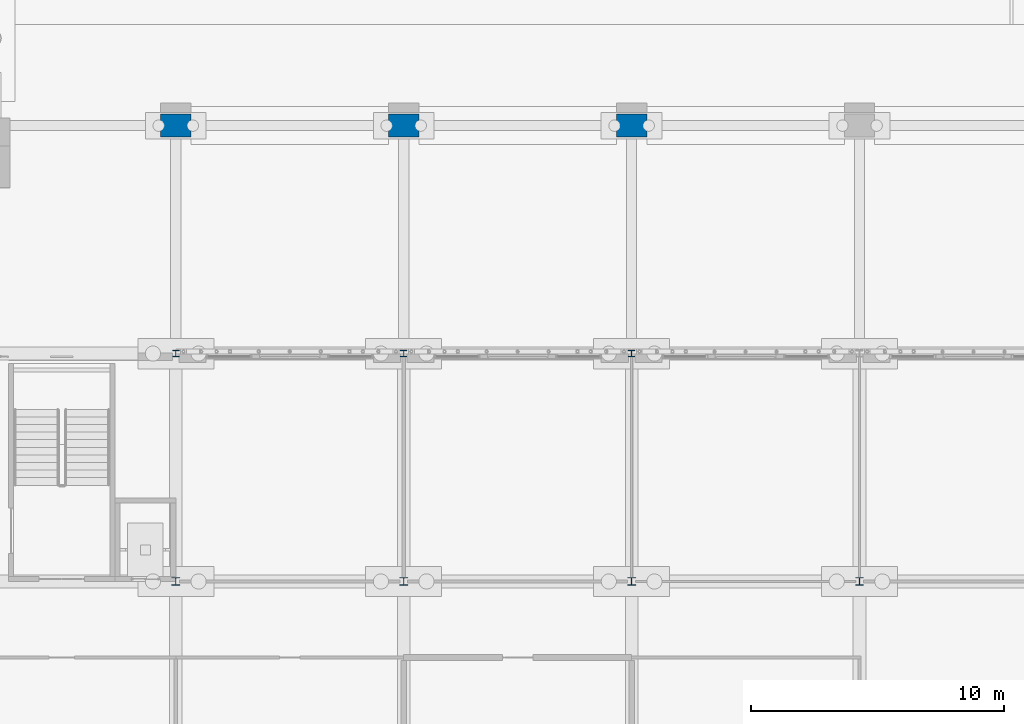
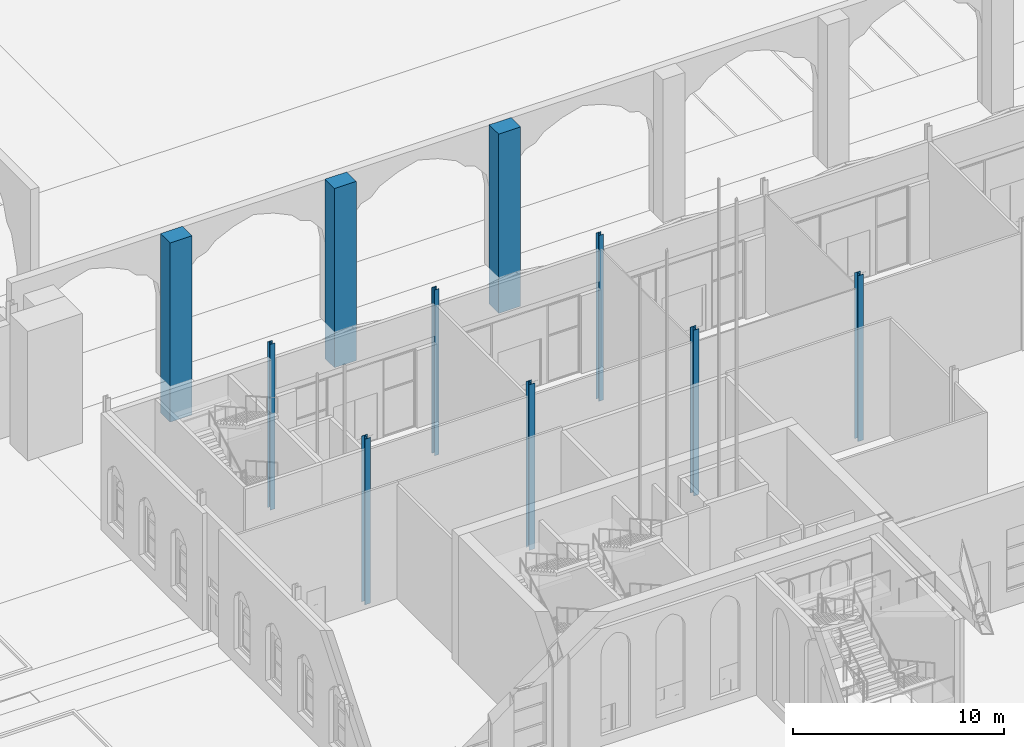
# One storey, part 18 of 250: 10 columns.
"""IFC4 building model written with IfcOpenShell, lengths in metres."""

from ifc_helpers import new_model, si_unit, direction, frame, origin, origin_2d, place, context, subcontext, project, spatial, rectangle, i_section, extrude, material, material_profile, profile_set, type_object, element, save


model = new_model("IFC4")

# Units and contexts
model_context = context("Model", 3, precision=1e-05, world=origin(), true_north=direction((0.0, 1.0)))
body_context = subcontext(model_context, "Body", "Model", "MODEL_VIEW")
ifc_project = project(units=[si_unit("LENGTHUNIT", "METRE"), si_unit("AREAUNIT", "SQUARE_METRE"), si_unit("VOLUMEUNIT", "CUBIC_METRE"), si_unit("PLANEANGLEUNIT", "RADIAN"), si_unit("MASSUNIT", "GRAM", prefix="KILO")], contexts=[model_context])

# Site, building, storey
site_placement = place(None, origin())
site = spatial("IfcSite", under=ifc_project, at=site_placement, CompositionType="ELEMENT")
building_placement = place(site_placement, origin())
building = spatial("IfcBuilding", under=site, at=building_placement, Name="Baradari Gate Terminus", CompositionType="ELEMENT")
storey_placement = place(building_placement, origin())
storey = spatial("IfcBuildingStorey", under=building, at=storey_placement, Name="L00", CompositionType="ELEMENT", Elevation=0.0)

# Columns
ifc_material_1 = material(Name="Concrete C40/50", Category="concrete")
ifc_material_profile_1 = material_profile(ifc_material_1, rectangle(XDim=1.199951171875, YDim=0.89990234375, at=origin_2d()), Name="RC1200X900")
ifc_profile_set_1 = profile_set([ifc_material_profile_1], Name="Concrete C40/50")
column_type_1 = type_object("IfcColumnType", Name="Arcade pier AP01 RC1200X900", PredefinedType="COLUMN", material=ifc_profile_set_1)
for number, where, z_axis, x_axis, name in (
    (1, (72.0, 117.0, -2.10009765625), (0.0, 0.0, 1.0), (1.0, 0.0, 0.0), "AP01 column 9-P L00"),
    (2, (81.0, 117.0, -2.10009765625), (0.0, 0.0, 1.0), (1.0, 0.0, 0.0), "AP01 column 10-P L00"),
    (3, (90.0, 117.0, -2.10009765625), (0.0, 0.0, 1.0), (1.0, 0.0, 0.0), "AP01 column 11-P L00"),
):
    element("IfcColumn", number, at=place(storey_placement, frame(where, z_axis=z_axis, x_axis=x_axis)), inside=storey, type_object=column_type_1, Name=name, PredefinedType="COLUMN", context=body_context, shape_type="SweptSolid", body=[
        extrude(rectangle(XDim=1.199951171875, YDim=0.89990234375, at=origin_2d()), origin(), (0.0, 0.0, 1.0), 10.380126953125),
    ])
ifc_material_2 = material(Name="Steel S355", Category="steel")
ifc_material_profile_2 = material_profile(ifc_material_2, i_section(OverallWidth=0.307373046875, OverallDepth=0.314453125, WebThickness=0.011962890625, FlangeThickness=0.018798828125, FilletRadius=0.01513671875, at=origin_2d()), Name="UC 305x305x118")
ifc_profile_set_2 = profile_set([ifc_material_profile_2], Name="Steel S355")
column_type_2 = type_object("IfcColumnType", Name="Head-house column C07 UC 305x305x118", PredefinedType="COLUMN", material=ifc_profile_set_2)
for number, where, z_axis, x_axis, name in (
    (4, (72.0, 99.0, -2.10009765625), (0.0, 0.0, 1.0), (1.0, 0.0, 0.0), "C07 column 9-M L00"),
    (5, (81.0, 99.0, -2.10009765625), (0.0, 0.0, 1.0), (1.0, 0.0, 0.0), "C07 column 10-M L00"),
    (6, (90.0, 99.0, -2.10009765625), (0.0, 0.0, 1.0), (1.0, 0.0, 0.0), "C07 column 11-M L00"),
    (7, (99.0, 99.0, -2.10009765625), (0.0, 0.0, 1.0), (1.0, 0.0, 0.0), "C07 column 12-M L00"),
):
    element("IfcColumn", number, at=place(storey_placement, frame(where, z_axis=z_axis, x_axis=x_axis)), inside=storey, type_object=column_type_2, Name=name, PredefinedType="COLUMN", context=body_context, shape_type="SweptSolid", body=[
        extrude(i_section(OverallWidth=0.307373046875, OverallDepth=0.314453125, WebThickness=0.011962890625, FlangeThickness=0.018798828125, FilletRadius=0.01513671875, at=origin_2d()), origin(), (0.0, 0.0, 1.0), 9.60009765625),
    ])
ifc_material_3 = material(Name="Steel S355", Category="steel")
ifc_material_profile_3 = material_profile(ifc_material_3, i_section(OverallWidth=0.25634765625, OverallDepth=0.26025390625, WebThickness=0.01025390625, FlangeThickness=0.017333984375, FilletRadius=0.0126953125, at=origin_2d()), Name="UC 254x254x89")
ifc_profile_set_3 = profile_set([ifc_material_profile_3], Name="Steel S355")
column_type_3 = type_object("IfcColumnType", Name="Head-house facade column C08 UC 254x254x89", PredefinedType="COLUMN", material=ifc_profile_set_3)
for number, where, z_axis, x_axis, name in (
    (8, (72.0, 108.0, -2.10009765625), (0.0, 0.0, 1.0), (1.0, 0.0, 0.0), "C08 column 9-N L00"),
    (9, (81.0, 108.0, -2.10009765625), (0.0, 0.0, 1.0), (1.0, 0.0, 0.0), "C08 column 10-N L00"),
    (10, (90.0, 108.0, -2.10009765625), (0.0, 0.0, 1.0), (1.0, 0.0, 0.0), "C08 column 11-N L00"),
):
    element("IfcColumn", number, at=place(storey_placement, frame(where, z_axis=z_axis, x_axis=x_axis)), inside=storey, type_object=column_type_3, Name=name, PredefinedType="COLUMN", context=body_context, shape_type="SweptSolid", body=[
        extrude(i_section(OverallWidth=0.25634765625, OverallDepth=0.26025390625, WebThickness=0.01025390625, FlangeThickness=0.017333984375, FilletRadius=0.0126953125, at=origin_2d()), origin(), (0.0, 0.0, 1.0), 9.60009765625),
    ])

save(model, "model.ifc")
